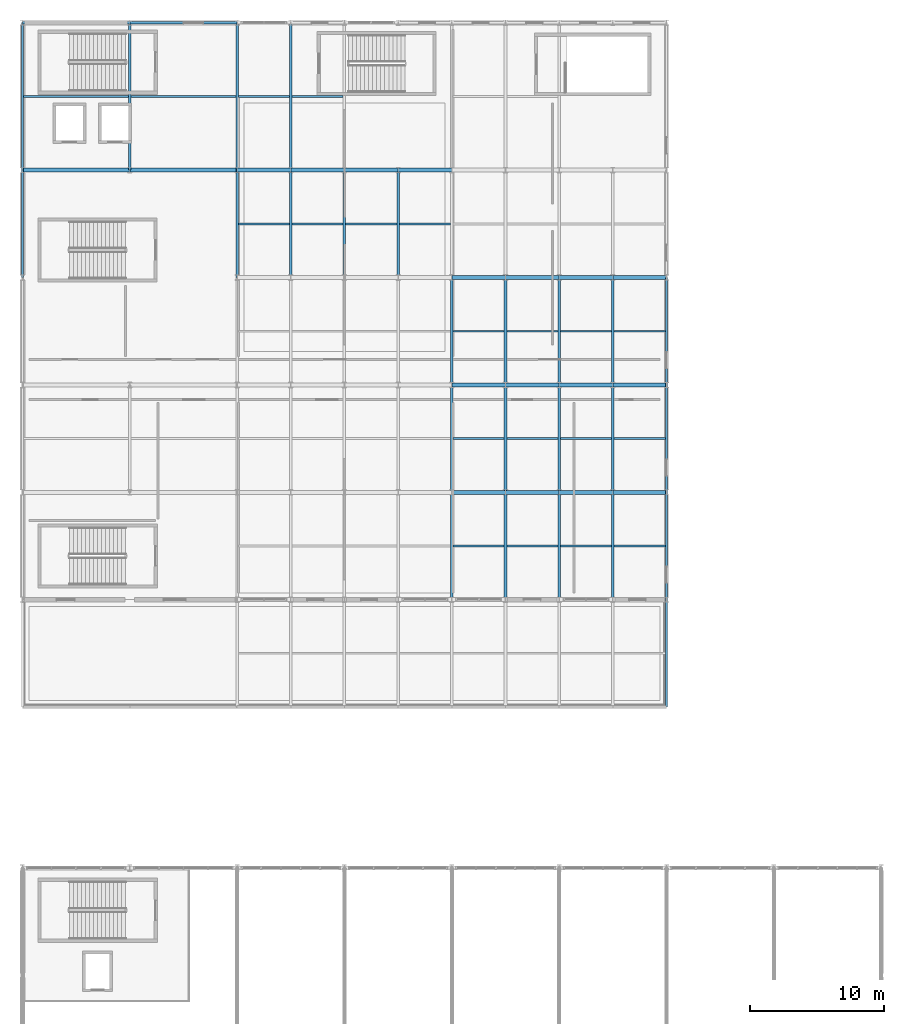
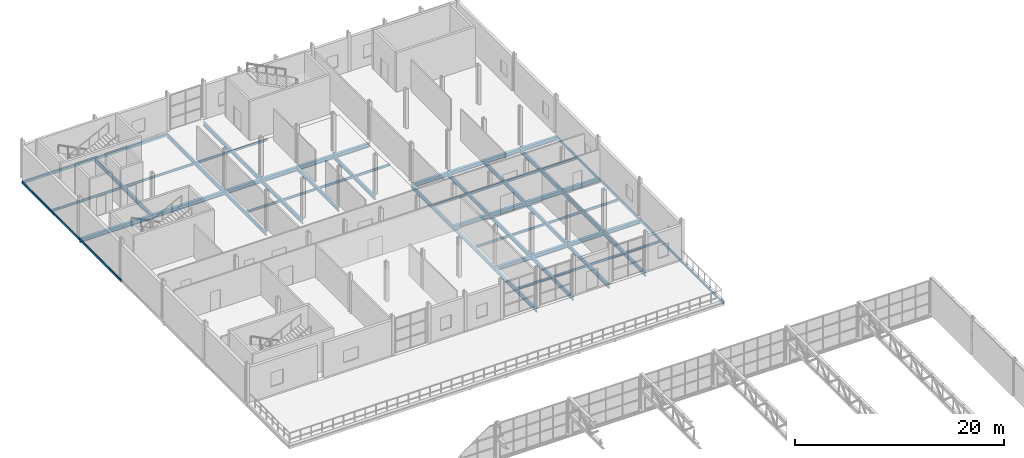
# One storey, part 50 of 67: 65 beams.
"""IFC4 building model written with IfcOpenShell, lengths in metres."""

from ifc_helpers import new_model, si_unit, derived_unit, direction, frame, origin, origin_2d, place, context, subcontext, project, spatial, hollow_rectangle, i_section, extrude, material, material_profile, profile_set, type_object, element, save


model = new_model("IFC4")

# Units and contexts
model_context = context("Model", 3, precision=1e-05, world=origin(), true_north=direction((0.0, 1.0)))
body_context = subcontext(model_context, "Body", "Model", "MODEL_VIEW")
ifc_project = project(units=[si_unit("LENGTHUNIT", "METRE"), si_unit("AREAUNIT", "SQUARE_METRE"), si_unit("VOLUMEUNIT", "CUBIC_METRE"), si_unit("PLANEANGLEUNIT", "RADIAN"), si_unit("MASSUNIT", "GRAM", prefix="KILO"), derived_unit("THERMALTRANSMITTANCEUNIT", [(si_unit("POWERUNIT", "WATT"), 1), (si_unit("LENGTHUNIT", "METRE"), -2), (si_unit("THERMODYNAMICTEMPERATUREUNIT", "KELVIN"), -1)])], contexts=[model_context])

# Site, building, storey
site_placement = place(None, origin())
site = spatial("IfcSite", under=ifc_project, at=site_placement, CompositionType="ELEMENT")
building_placement = place(site_placement, origin())
building = spatial("IfcBuilding", under=site, at=building_placement, Name="Keldorne Ridge Multi-Sports Centre", CompositionType="ELEMENT")
storey_placement = place(building_placement, frame((0.0, 0.0, 14.0)))
storey = spatial("IfcBuildingStorey", under=building, at=storey_placement, Name="L03", CompositionType="ELEMENT", Elevation=14.0)

# Beams
ifc_material = material(Name="Steel S355", Category="steel")
ifc_material_profile_1 = material_profile(ifc_material, i_section(OverallWidth=0.18994140625, OverallDepth=0.449951171875, WebThickness=0.009521484375, FlangeThickness=0.0146484375, FilletRadius=0.02099609375, at=origin_2d()), Name="IPE 450")
ifc_profile_set_1 = profile_set([ifc_material_profile_1], Name="Steel S355")
beam_type_1 = type_object("IfcBeamType", Name="BM-B-03", PredefinedType="BEAM", material=ifc_profile_set_1)
beam_1_placement = place(storey_placement, frame((112.0, 106.0, -0.52490234375), z_axis=(0.0, 1.0, 0.0), x_axis=(-1.0, 0.0, 0.0)))
element("IfcBeam", 1, at=beam_1_placement, inside=storey, type_object=beam_type_1, Name="L03 primary girder 112.6", PredefinedType="BEAM", context=body_context, shape_type="SweptSolid", body=[
    extrude(i_section(OverallWidth=0.18994140625, OverallDepth=0.449951171875, WebThickness=0.009521484375, FlangeThickness=0.0146484375, FilletRadius=0.02099609375, at=origin_2d()), origin(), (0.0, 0.0, 1.0), 11.0),
])
beam_2_placement = place(storey_placement, frame((120.0, 98.0, -0.52490234375), z_axis=(0.0, 1.0, 0.0), x_axis=(-1.0, 0.0, 0.0)))
element("IfcBeam", 2, at=beam_2_placement, inside=storey, type_object=beam_type_1, Name="L03 primary girder 120.5", PredefinedType="BEAM", context=body_context, shape_type="SweptSolid", body=[
    extrude(i_section(OverallWidth=0.18994140625, OverallDepth=0.449951171875, WebThickness=0.009521484375, FlangeThickness=0.0146484375, FilletRadius=0.02099609375, at=origin_2d()), origin(), (0.0, 0.0, 1.0), 8.0),
])
beam_3_placement = place(storey_placement, frame((120.0, 106.0, -0.52490234375), z_axis=(0.0, 1.0, 0.0), x_axis=(-1.0, 0.0, 0.0)))
element("IfcBeam", 3, at=beam_3_placement, inside=storey, type_object=beam_type_1, Name="L03 primary girder 120.6", PredefinedType="BEAM", context=body_context, shape_type="SweptSolid", body=[
    extrude(i_section(OverallWidth=0.18994140625, OverallDepth=0.449951171875, WebThickness=0.009521484375, FlangeThickness=0.0146484375, FilletRadius=0.02099609375, at=origin_2d()), origin(), (0.0, 0.0, 1.0), 11.0),
])
beam_4_placement = place(storey_placement, frame((124.0, 98.0, -0.52490234375), z_axis=(0.0, 1.0, 0.0), x_axis=(-1.0, 0.0, 0.0)))
element("IfcBeam", 4, at=beam_4_placement, inside=storey, type_object=beam_type_1, Name="L03 primary girder 124.5", PredefinedType="BEAM", context=body_context, shape_type="SweptSolid", body=[
    extrude(i_section(OverallWidth=0.18994140625, OverallDepth=0.449951171875, WebThickness=0.009521484375, FlangeThickness=0.0146484375, FilletRadius=0.02099609375, at=origin_2d()), origin(), (0.0, 0.0, 1.0), 8.0),
])
beam_5_placement = place(storey_placement, frame((124.0, 106.0, -0.52490234375), z_axis=(0.0, 1.0, 0.0), x_axis=(-1.0, 0.0, 0.0)))
element("IfcBeam", 5, at=beam_5_placement, inside=storey, type_object=beam_type_1, Name="L03 primary girder 124.6", PredefinedType="BEAM", context=body_context, shape_type="SweptSolid", body=[
    extrude(i_section(OverallWidth=0.18994140625, OverallDepth=0.449951171875, WebThickness=0.009521484375, FlangeThickness=0.0146484375, FilletRadius=0.02099609375, at=origin_2d()), origin(), (0.0, 0.0, 1.0), 11.0),
])
for number, where, z_axis, x_axis, name in (
    (6, (128.0, 98.0, -0.52490234375), (0.0, 1.0, 0.0), (-1.0, 0.0, 0.0), "L03 primary girder 128.5"),
    (7, (132.0, 98.0, -0.52490234375), (0.0, 1.0, 0.0), (-1.0, 0.0, 0.0), "L03 primary girder 132.5"),
    (8, (136.0, 74.0, -0.52490234375), (0.0, 1.0, 0.0), (-1.0, 0.0, 0.0), "L03 primary girder 136.2"),
    (9, (136.0, 82.0, -0.52490234375), (0.0, 1.0, 0.0), (-1.0, 0.0, 0.0), "L03 primary girder 136.3"),
    (10, (136.0, 90.0, -0.52490234375), (0.0, 1.0, 0.0), (-1.0, 0.0, 0.0), "L03 primary girder 136.4"),
    (11, (140.0, 74.0, -0.52490234375), (0.0, 1.0, 0.0), (-1.0, 0.0, 0.0), "L03 primary girder 140.2"),
    (12, (140.0, 82.0, -0.52490234375), (0.0, 1.0, 0.0), (-1.0, 0.0, 0.0), "L03 primary girder 140.3"),
    (13, (140.0, 90.0, -0.52490234375), (0.0, 1.0, 0.0), (-1.0, 0.0, 0.0), "L03 primary girder 140.4"),
    (14, (144.0, 74.0, -0.52490234375), (0.0, 1.0, 0.0), (-1.0, 0.0, 0.0), "L03 primary girder 144.2"),
    (15, (144.0, 82.0, -0.52490234375), (0.0, 1.0, 0.0), (-1.0, 0.0, 0.0), "L03 primary girder 144.3"),
    (16, (144.0, 90.0, -0.52490234375), (0.0, 1.0, 0.0), (-1.0, 0.0, 0.0), "L03 primary girder 144.4"),
    (17, (148.0, 74.0, -0.52490234375), (0.0, 1.0, 0.0), (-1.0, 0.0, 0.0), "L03 primary girder 148.2"),
    (18, (148.0, 82.0, -0.52490234375), (0.0, 1.0, 0.0), (-1.0, 0.0, 0.0), "L03 primary girder 148.3"),
    (19, (148.0, 90.0, -0.52490234375), (0.0, 1.0, 0.0), (-1.0, 0.0, 0.0), "L03 primary girder 148.4"),
):
    element("IfcBeam", number, at=place(storey_placement, frame(where, z_axis=z_axis, x_axis=x_axis)), inside=storey, type_object=beam_type_1, Name=name, PredefinedType="BEAM", context=body_context, shape_type="SweptSolid", body=[
        extrude(i_section(OverallWidth=0.18994140625, OverallDepth=0.449951171875, WebThickness=0.009521484375, FlangeThickness=0.0146484375, FilletRadius=0.02099609375, at=origin_2d()), origin(), (0.0, 0.0, 1.0), 8.0),
    ])
ifc_material_profile_2 = material_profile(ifc_material, i_section(OverallWidth=0.300048828125, OverallDepth=0.43994140625, WebThickness=0.011474609375, FlangeThickness=0.02099609375, FilletRadius=0.027099609375, at=origin_2d()), Name="HEA 450")
ifc_profile_set_2 = profile_set([ifc_material_profile_2], Name="Steel S355")
beam_type_2 = type_object("IfcBeamType", Name="BM-B-09", PredefinedType="BEAM", material=ifc_profile_set_2)
for number, where, z_axis, x_axis, name in (
    (20, (136.0, 82.0, -0.52001953125), (1.0, 0.0, 0.0), (0.0, 1.0, 0.0), "L03 primary beam 7.82"),
    (21, (140.0, 82.0, -0.52001953125), (1.0, 0.0, 0.0), (0.0, 1.0, 0.0), "L03 primary beam 8.82"),
    (22, (144.0, 82.0, -0.52001953125), (1.0, 0.0, 0.0), (0.0, 1.0, 0.0), "L03 primary beam 9.82"),
    (23, (148.0, 82.0, -0.52001953125), (1.0, 0.0, 0.0), (0.0, 1.0, 0.0), "L03 primary beam 10.82"),
    (24, (136.0, 90.0, -0.52001953125), (1.0, 0.0, 0.0), (0.0, 1.0, 0.0), "L03 primary beam 7.90"),
    (25, (140.0, 90.0, -0.52001953125), (1.0, 0.0, 0.0), (0.0, 1.0, 0.0), "L03 primary beam 8.90"),
    (26, (144.0, 90.0, -0.52001953125), (1.0, 0.0, 0.0), (0.0, 1.0, 0.0), "L03 primary beam 9.90"),
    (27, (148.0, 90.0, -0.52001953125), (1.0, 0.0, 0.0), (0.0, 1.0, 0.0), "L03 primary beam 10.90"),
    (28, (136.0, 98.0, -0.52001953125), (1.0, 0.0, 0.0), (0.0, 1.0, 0.0), "L03 primary beam 7.98"),
    (29, (140.0, 98.0, -0.52001953125), (1.0, 0.0, 0.0), (0.0, 1.0, 0.0), "L03 primary beam 8.98"),
    (30, (144.0, 98.0, -0.52001953125), (1.0, 0.0, 0.0), (0.0, 1.0, 0.0), "L03 primary beam 9.98"),
    (31, (148.0, 98.0, -0.52001953125), (1.0, 0.0, 0.0), (0.0, 1.0, 0.0), "L03 primary beam 10.98"),
):
    element("IfcBeam", number, at=place(storey_placement, frame(where, z_axis=z_axis, x_axis=x_axis)), inside=storey, type_object=beam_type_2, Name=name, PredefinedType="BEAM", context=body_context, shape_type="SweptSolid", body=[
        extrude(i_section(OverallWidth=0.300048828125, OverallDepth=0.43994140625, WebThickness=0.011474609375, FlangeThickness=0.02099609375, FilletRadius=0.027099609375, at=origin_2d()), origin(), (0.0, 0.0, 1.0), 4.0),
    ])
for number, where, z_axis, x_axis, name in (
    (32, (104.0, 106.0, -0.52001953125), (1.0, 0.0, 0.0), (0.0, 1.0, 0.0), "L03 primary beam 1.106"),
    (33, (112.0, 106.0, -0.52001953125), (1.0, 0.0, 0.0), (0.0, 1.0, 0.0), "L03 primary beam 2.106"),
):
    element("IfcBeam", number, at=place(storey_placement, frame(where, z_axis=z_axis, x_axis=x_axis)), inside=storey, type_object=beam_type_2, Name=name, PredefinedType="BEAM", context=body_context, shape_type="SweptSolid", body=[
        extrude(i_section(OverallWidth=0.300048828125, OverallDepth=0.43994140625, WebThickness=0.011474609375, FlangeThickness=0.02099609375, FilletRadius=0.027099609375, at=origin_2d()), origin(), (0.0, 0.0, 1.0), 8.0),
    ])
for number, where, z_axis, x_axis, name in (
    (34, (120.0, 106.0, -0.52001953125), (1.0, 0.0, 0.0), (0.0, 1.0, 0.0), "L03 primary beam 3.106"),
    (35, (124.0, 106.0, -0.52001953125), (1.0, 0.0, 0.0), (0.0, 1.0, 0.0), "L03 primary beam 4.106"),
    (36, (128.0, 106.0, -0.52001953125), (1.0, 0.0, 0.0), (0.0, 1.0, 0.0), "L03 primary beam 5.106"),
    (37, (132.0, 106.0, -0.52001953125), (1.0, 0.0, 0.0), (0.0, 1.0, 0.0), "L03 primary beam 6.106"),
):
    element("IfcBeam", number, at=place(storey_placement, frame(where, z_axis=z_axis, x_axis=x_axis)), inside=storey, type_object=beam_type_2, Name=name, PredefinedType="BEAM", context=body_context, shape_type="SweptSolid", body=[
        extrude(i_section(OverallWidth=0.300048828125, OverallDepth=0.43994140625, WebThickness=0.011474609375, FlangeThickness=0.02099609375, FilletRadius=0.027099609375, at=origin_2d()), origin(), (0.0, 0.0, 1.0), 4.0),
    ])
ifc_material_profile_3 = material_profile(ifc_material, i_section(OverallWidth=0.135009765625, OverallDepth=0.27001953125, WebThickness=0.006591796875, FlangeThickness=0.01025390625, FilletRadius=0.014892578125, at=origin_2d()), Name="IPE 270")
ifc_profile_set_3 = profile_set([ifc_material_profile_3], Name="Steel S355")
beam_type_3 = type_object("IfcBeamType", Name="BM-J-03", PredefinedType="JOIST", material=ifc_profile_set_3)
beam_6_placement = place(storey_placement, frame((104.074951171875, 111.5, -0.43505859375), z_axis=(1.0, 0.0, 0.0), x_axis=(0.0, 1.0, 0.0)))
element("IfcBeam", 38, at=beam_6_placement, inside=storey, type_object=beam_type_3, Name="L03 secondary joist 1.6", PredefinedType="JOIST", context=body_context, shape_type="SweptSolid", body=[
    extrude(i_section(OverallWidth=0.135009765625, OverallDepth=0.27001953125, WebThickness=0.006591796875, FlangeThickness=0.01025390625, FilletRadius=0.014892578125, at=origin_2d()), origin(), (0.0, 0.0, 1.0), 7.830078125),
])
beam_7_placement = place(storey_placement, frame((112.094970703125, 111.5, -0.43505859375), z_axis=(1.0, 0.0, 0.0), x_axis=(0.0, 1.0, 0.0)))
element("IfcBeam", 39, at=beam_7_placement, inside=storey, type_object=beam_type_3, Name="L03 secondary joist 2.6", PredefinedType="JOIST", context=body_context, shape_type="SweptSolid", body=[
    extrude(i_section(OverallWidth=0.135009765625, OverallDepth=0.27001953125, WebThickness=0.006591796875, FlangeThickness=0.01025390625, FilletRadius=0.014892578125, at=origin_2d()), origin(), (0.0, 0.0, 1.0), 7.81005859375),
])
for number, where, z_axis, x_axis, name in (
    (40, (120.094970703125, 102.0, -0.43505859375), (1.0, 0.0, 0.0), (0.0, 1.0, 0.0), "L03 secondary joist 3.5"),
    (41, (120.094970703125, 111.5, -0.43505859375), (1.0, 0.0, 0.0), (0.0, 1.0, 0.0), "L03 secondary joist 3.6"),
    (42, (124.094970703125, 102.0, -0.43505859375), (1.0, 0.0, 0.0), (0.0, 1.0, 0.0), "L03 secondary joist 4.5"),
    (43, (124.094970703125, 111.5, -0.43505859375), (1.0, 0.0, 0.0), (0.0, 1.0, 0.0), "L03 secondary joist 4.6"),
    (44, (128.094970703125, 102.0, -0.43505859375), (1.0, 0.0, 0.0), (0.0, 1.0, 0.0), "L03 secondary joist 5.5"),
    (45, (132.094970703125, 102.0, -0.43505859375), (1.0, 0.0, 0.0), (0.0, 1.0, 0.0), "L03 secondary joist 6.5"),
    (46, (136.094970703125, 78.0, -0.43505859375), (1.0, 0.0, 0.0), (0.0, 1.0, 0.0), "L03 secondary joist 7.2"),
    (47, (136.094970703125, 86.0, -0.43505859375), (1.0, 0.0, 0.0), (0.0, 1.0, 0.0), "L03 secondary joist 7.3"),
    (48, (136.094970703125, 94.0, -0.43505859375), (1.0, 0.0, 0.0), (0.0, 1.0, 0.0), "L03 secondary joist 7.4"),
    (49, (140.094970703125, 78.0, -0.43505859375), (1.0, 0.0, 0.0), (0.0, 1.0, 0.0), "L03 secondary joist 8.2"),
    (50, (140.094970703125, 86.0, -0.43505859375), (1.0, 0.0, 0.0), (0.0, 1.0, 0.0), "L03 secondary joist 8.3"),
    (51, (140.094970703125, 94.0, -0.43505859375), (1.0, 0.0, 0.0), (0.0, 1.0, 0.0), "L03 secondary joist 8.4"),
    (52, (144.094970703125, 78.0, -0.43505859375), (1.0, 0.0, 0.0), (0.0, 1.0, 0.0), "L03 secondary joist 9.2"),
    (53, (144.094970703125, 86.0, -0.43505859375), (1.0, 0.0, 0.0), (0.0, 1.0, 0.0), "L03 secondary joist 9.3"),
    (54, (144.094970703125, 94.0, -0.43505859375), (1.0, 0.0, 0.0), (0.0, 1.0, 0.0), "L03 secondary joist 9.4"),
):
    element("IfcBeam", number, at=place(storey_placement, frame(where, z_axis=z_axis, x_axis=x_axis)), inside=storey, type_object=beam_type_3, Name=name, PredefinedType="JOIST", context=body_context, shape_type="SweptSolid", body=[
        extrude(i_section(OverallWidth=0.135009765625, OverallDepth=0.27001953125, WebThickness=0.006591796875, FlangeThickness=0.01025390625, FilletRadius=0.014892578125, at=origin_2d()), origin(), (0.0, 0.0, 1.0), 3.81005859375),
    ])
for number, where, z_axis, x_axis, name in (
    (55, (148.094970703125, 78.0, -0.43505859375), (1.0, 0.0, 0.0), (0.0, 1.0, 0.0), "L03 secondary joist 10.2"),
    (56, (148.094970703125, 86.0, -0.43505859375), (1.0, 0.0, 0.0), (0.0, 1.0, 0.0), "L03 secondary joist 10.3"),
    (57, (148.094970703125, 94.0, -0.43505859375), (1.0, 0.0, 0.0), (0.0, 1.0, 0.0), "L03 secondary joist 10.4"),
):
    element("IfcBeam", number, at=place(storey_placement, frame(where, z_axis=z_axis, x_axis=x_axis)), inside=storey, type_object=beam_type_3, Name=name, PredefinedType="JOIST", context=body_context, shape_type="SweptSolid", body=[
        extrude(i_section(OverallWidth=0.135009765625, OverallDepth=0.27001953125, WebThickness=0.006591796875, FlangeThickness=0.01025390625, FilletRadius=0.014892578125, at=origin_2d()), origin(), (0.0, 0.0, 1.0), 3.830078125),
    ])
ifc_material_profile_4 = material_profile(ifc_material, hollow_rectangle(XDim=0.199951171875, YDim=0.300048828125, WallThickness=0.012451171875, InnerFilletRadius=0.012451171875, OuterFilletRadius=0.02490234375, at=origin_2d()), Name="RHS 300x200x12.5")
ifc_profile_set_4 = profile_set([ifc_material_profile_4], Name="Steel S355")
beam_type_4 = type_object("IfcBeamType", Name="BM-SP-01", PredefinedType="SPANDREL", material=ifc_profile_set_4)
for number, where, z_axis, x_axis, name in (
    (58, (104.0, 117.0, -0.449951171875), (1.0, 0.0, 0.0), (0.0, 1.0, 0.0), "L03 primary beam 1.117"),
    (59, (112.0, 117.0, -0.449951171875), (1.0, 0.0, 0.0), (0.0, 1.0, 0.0), "L03 primary beam 2.117"),
):
    element("IfcBeam", number, at=place(storey_placement, frame(where, z_axis=z_axis, x_axis=x_axis)), inside=storey, type_object=beam_type_4, Name=name, PredefinedType="SPANDREL", context=body_context, shape_type="SweptSolid", body=[
        extrude(hollow_rectangle(XDim=0.199951171875, YDim=0.300048828125, WallThickness=0.012451171875, InnerFilletRadius=0.012451171875, OuterFilletRadius=0.02490234375, at=origin_2d()), origin(), (0.0, 0.0, 1.0), 8.0),
    ])
ifc_material_profile_5 = material_profile(ifc_material, hollow_rectangle(XDim=0.14990234375, YDim=0.25, WallThickness=0.010009765625, InnerFilletRadius=0.010009765625, OuterFilletRadius=0.02001953125, at=origin_2d()), Name="RHS 250x150x10")
ifc_profile_set_5 = profile_set([ifc_material_profile_5], Name="Steel S355")
beam_type_5 = type_object("IfcBeamType", Name="BM-SP-02", PredefinedType="SPANDREL", material=ifc_profile_set_5)
beam_8_placement = place(storey_placement, frame((104.0, 98.0, -0.425048828125), z_axis=(0.0, 1.0, 0.0), x_axis=(-1.0, 0.0, 0.0)))
element("IfcBeam", 60, at=beam_8_placement, inside=storey, type_object=beam_type_5, Name="L03 primary girder 104.5", PredefinedType="SPANDREL", context=body_context, shape_type="SweptSolid", body=[
    extrude(hollow_rectangle(XDim=0.14990234375, YDim=0.25, WallThickness=0.010009765625, InnerFilletRadius=0.010009765625, OuterFilletRadius=0.02001953125, at=origin_2d()), origin(), (0.0, 0.0, 1.0), 8.0),
])
beam_9_placement = place(storey_placement, frame((104.0, 106.0, -0.425048828125), z_axis=(0.0, 1.0, 0.0), x_axis=(-1.0, 0.0, 0.0)))
element("IfcBeam", 61, at=beam_9_placement, inside=storey, type_object=beam_type_5, Name="L03 primary girder 104.6", PredefinedType="SPANDREL", context=body_context, shape_type="SweptSolid", body=[
    extrude(hollow_rectangle(XDim=0.14990234375, YDim=0.25, WallThickness=0.010009765625, InnerFilletRadius=0.010009765625, OuterFilletRadius=0.02001953125, at=origin_2d()), origin(), (0.0, 0.0, 1.0), 11.0),
])
for number, where, z_axis, x_axis, name in (
    (62, (152.0, 66.0, -0.425048828125), (0.0, 1.0, 0.0), (-1.0, 0.0, 0.0), "L03 primary girder 152.1"),
    (63, (152.0, 74.0, -0.425048828125), (0.0, 1.0, 0.0), (-1.0, 0.0, 0.0), "L03 primary girder 152.2"),
    (64, (152.0, 82.0, -0.425048828125), (0.0, 1.0, 0.0), (-1.0, 0.0, 0.0), "L03 primary girder 152.3"),
    (65, (152.0, 90.0, -0.425048828125), (0.0, 1.0, 0.0), (-1.0, 0.0, 0.0), "L03 primary girder 152.4"),
):
    element("IfcBeam", number, at=place(storey_placement, frame(where, z_axis=z_axis, x_axis=x_axis)), inside=storey, type_object=beam_type_5, Name=name, PredefinedType="SPANDREL", context=body_context, shape_type="SweptSolid", body=[
        extrude(hollow_rectangle(XDim=0.14990234375, YDim=0.25, WallThickness=0.010009765625, InnerFilletRadius=0.010009765625, OuterFilletRadius=0.02001953125, at=origin_2d()), origin(), (0.0, 0.0, 1.0), 8.0),
    ])

save(model, "model.ifc")
